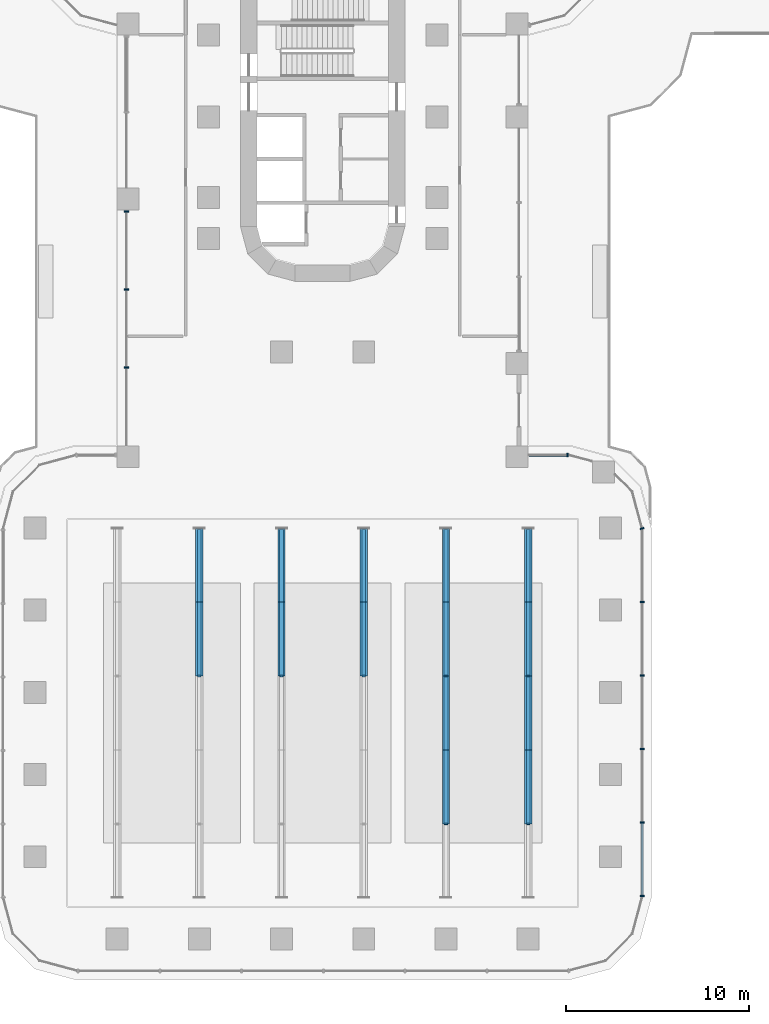
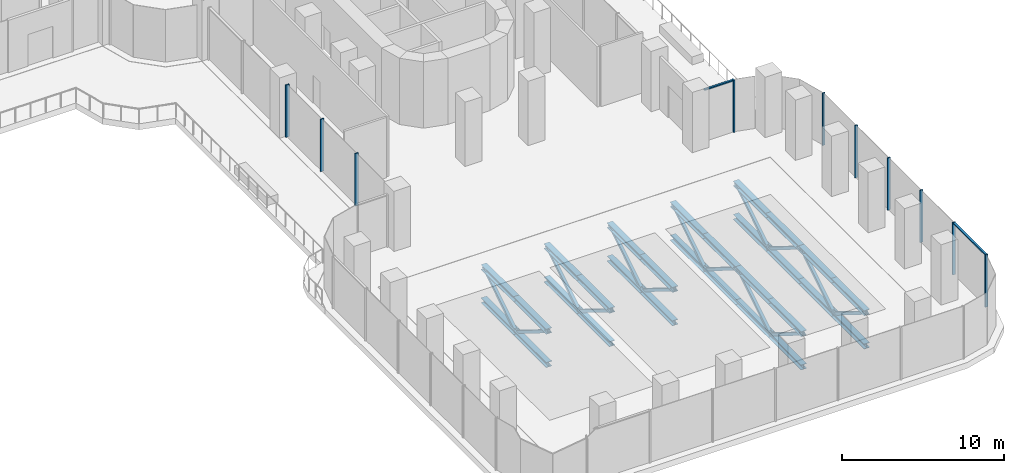
# One storey, part 3 of 21: 54 members, 4 elements without a shape of their own.
"""IFC4 building model written with IfcOpenShell, lengths in metres."""

from ifc_helpers import new_model, si_unit, direction, frame, origin, origin_2d, place, context, subcontext, project, spatial, polyline, hollow_rectangle, i_section, outline, extrude, source, transform, mapped, material, material_profile, profile_set, type_object, element, aggregate, save


model = new_model("IFC4")

# Units and contexts
model_context = context("Model", 3, precision=1e-05, world=origin(), true_north=direction((0.0, 1.0)))
body_context = subcontext(model_context, "Body", "Model", "MODEL_VIEW")
ifc_project = project(units=[si_unit("LENGTHUNIT", "METRE"), si_unit("AREAUNIT", "SQUARE_METRE"), si_unit("VOLUMEUNIT", "CUBIC_METRE"), si_unit("PLANEANGLEUNIT", "RADIAN"), si_unit("MASSUNIT", "GRAM", prefix="KILO")], contexts=[model_context])

# Site, building, storey
site_placement = place(None, origin())
site = spatial("IfcSite", under=ifc_project, at=site_placement, CompositionType="ELEMENT")
building_placement = place(site_placement, origin())
building = spatial("IfcBuilding", under=site, at=building_placement, Name="Zarbagh Exchange Tower", CompositionType="ELEMENT")
storey_placement = place(building_placement, frame((0.0, 0.0, 22.0)))
storey = spatial("IfcBuildingStorey", under=building, at=storey_placement, Name="L04", CompositionType="ELEMENT", Elevation=22.0)

# Members
ifc_material_1 = material(Name="Steel ASTM A992 Gr 50", Category="steel")
ifc_material_profile_1 = material_profile(ifc_material_1, i_section(OverallWidth=0.398681640625, OverallDepth=0.385986328125, WebThickness=0.02099609375, FlangeThickness=0.033203125, at=origin_2d()), Name="W14X176")
ifc_profile_set_1 = profile_set([ifc_material_profile_1], Name="Steel ASTM A992 Gr 50")
member_type_1 = type_object("IfcMemberType", Name="Hall roof truss chord W14X176", PredefinedType="CHORD", material=ifc_profile_set_1)
for number, where, z_axis, x_axis, name in (
    (1, (-6.75, -50.85009765625, -3.156982421875), (0.0, 1.0, 0.0), (-1.0, 0.0, 0.0), "Hall roof truss chord"),
    (2, (-6.75, -50.85009765625, -0.64306640625), (0.0, 1.0, 0.0), (-1.0, 0.0, 0.0), "Hall roof truss chord"),
):
    element("IfcMember", number, at=place(storey_placement, frame(where, z_axis=z_axis, x_axis=x_axis)), inside=storey, type_object=member_type_1, Name=name, PredefinedType="CHORD", context=body_context, shape_type="SweptSolid", body=[
        extrude(i_section(OverallWidth=0.398681640625, OverallDepth=0.385986328125, WebThickness=0.02099609375, FlangeThickness=0.033203125, at=origin_2d()), origin(), (0.0, 0.0, 1.0), 4.050048828125),
    ])
for number, where, z_axis, x_axis, name in (
    (3, (-6.75, -46.800048828125, -3.156982421875), (0.0, 1.0, 0.0), (-1.0, 0.0, 0.0), "Hall roof truss chord"),
    (4, (-6.75, -46.800048828125, -0.64306640625), (0.0, 1.0, 0.0), (-1.0, 0.0, 0.0), "Hall roof truss chord"),
):
    element("IfcMember", number, at=place(storey_placement, frame(where, z_axis=z_axis, x_axis=x_axis)), inside=storey, type_object=member_type_1, Name=name, PredefinedType="CHORD", context=body_context, shape_type="SweptSolid", body=[
        extrude(i_section(OverallWidth=0.398681640625, OverallDepth=0.385986328125, WebThickness=0.02099609375, FlangeThickness=0.033203125, at=origin_2d()), origin(), (0.0, 0.0, 1.0), 4.02001953125),
    ])
for number, where, z_axis, x_axis, name in (
    (5, (-2.25, -50.85009765625, -3.156982421875), (0.0, 1.0, 0.0), (-1.0, 0.0, 0.0), "Hall roof truss chord"),
    (6, (-2.25, -50.85009765625, -0.64306640625), (0.0, 1.0, 0.0), (-1.0, 0.0, 0.0), "Hall roof truss chord"),
):
    element("IfcMember", number, at=place(storey_placement, frame(where, z_axis=z_axis, x_axis=x_axis)), inside=storey, type_object=member_type_1, Name=name, PredefinedType="CHORD", context=body_context, shape_type="SweptSolid", body=[
        extrude(i_section(OverallWidth=0.398681640625, OverallDepth=0.385986328125, WebThickness=0.02099609375, FlangeThickness=0.033203125, at=origin_2d()), origin(), (0.0, 0.0, 1.0), 4.050048828125),
    ])
for number, where, z_axis, x_axis, name in (
    (7, (-2.25, -46.800048828125, -3.156982421875), (0.0, 1.0, 0.0), (-1.0, 0.0, 0.0), "Hall roof truss chord"),
    (8, (-2.25, -46.800048828125, -0.64306640625), (0.0, 1.0, 0.0), (-1.0, 0.0, 0.0), "Hall roof truss chord"),
):
    element("IfcMember", number, at=place(storey_placement, frame(where, z_axis=z_axis, x_axis=x_axis)), inside=storey, type_object=member_type_1, Name=name, PredefinedType="CHORD", context=body_context, shape_type="SweptSolid", body=[
        extrude(i_section(OverallWidth=0.398681640625, OverallDepth=0.385986328125, WebThickness=0.02099609375, FlangeThickness=0.033203125, at=origin_2d()), origin(), (0.0, 0.0, 1.0), 4.02001953125),
    ])
for number, where, z_axis, x_axis, name in (
    (9, (2.25, -50.85009765625, -3.156982421875), (0.0, 1.0, 0.0), (-1.0, 0.0, 0.0), "Hall roof truss chord"),
    (10, (2.25, -50.85009765625, -0.64306640625), (0.0, 1.0, 0.0), (-1.0, 0.0, 0.0), "Hall roof truss chord"),
):
    element("IfcMember", number, at=place(storey_placement, frame(where, z_axis=z_axis, x_axis=x_axis)), inside=storey, type_object=member_type_1, Name=name, PredefinedType="CHORD", context=body_context, shape_type="SweptSolid", body=[
        extrude(i_section(OverallWidth=0.398681640625, OverallDepth=0.385986328125, WebThickness=0.02099609375, FlangeThickness=0.033203125, at=origin_2d()), origin(), (0.0, 0.0, 1.0), 4.050048828125),
    ])
for number, where, z_axis, x_axis, name in (
    (11, (2.25, -46.800048828125, -3.156982421875), (0.0, 1.0, 0.0), (-1.0, 0.0, 0.0), "Hall roof truss chord"),
    (12, (2.25, -46.800048828125, -0.64306640625), (0.0, 1.0, 0.0), (-1.0, 0.0, 0.0), "Hall roof truss chord"),
):
    element("IfcMember", number, at=place(storey_placement, frame(where, z_axis=z_axis, x_axis=x_axis)), inside=storey, type_object=member_type_1, Name=name, PredefinedType="CHORD", context=body_context, shape_type="SweptSolid", body=[
        extrude(i_section(OverallWidth=0.398681640625, OverallDepth=0.385986328125, WebThickness=0.02099609375, FlangeThickness=0.033203125, at=origin_2d()), origin(), (0.0, 0.0, 1.0), 4.02001953125),
    ])
for number, where, z_axis, x_axis, name in (
    (13, (6.75, -58.949951171875, -3.156982421875), (0.0, 1.0, 0.0), (-1.0, 0.0, 0.0), "Hall roof truss chord"),
    (14, (6.75, -58.949951171875, -0.64306640625), (0.0, 1.0, 0.0), (-1.0, 0.0, 0.0), "Hall roof truss chord"),
):
    element("IfcMember", number, at=place(storey_placement, frame(where, z_axis=z_axis, x_axis=x_axis)), inside=storey, type_object=member_type_1, Name=name, PredefinedType="CHORD", context=body_context, shape_type="SweptSolid", body=[
        extrude(i_section(OverallWidth=0.398681640625, OverallDepth=0.385986328125, WebThickness=0.02099609375, FlangeThickness=0.033203125, at=origin_2d()), origin(), (0.0, 0.0, 1.0), 4.050048828125),
    ])
for number, where, z_axis, x_axis, name in (
    (15, (6.75, -54.89990234375, -3.156982421875), (0.0, 1.0, 0.0), (-1.0, 0.0, 0.0), "Hall roof truss chord"),
    (16, (6.75, -54.89990234375, -0.64306640625), (0.0, 1.0, 0.0), (-1.0, 0.0, 0.0), "Hall roof truss chord"),
):
    element("IfcMember", number, at=place(storey_placement, frame(where, z_axis=z_axis, x_axis=x_axis)), inside=storey, type_object=member_type_1, Name=name, PredefinedType="CHORD", context=body_context, shape_type="SweptSolid", body=[
        extrude(i_section(OverallWidth=0.398681640625, OverallDepth=0.385986328125, WebThickness=0.02099609375, FlangeThickness=0.033203125, at=origin_2d()), origin(), (0.0, 0.0, 1.0), 4.0498046875),
    ])
for number, where, z_axis, x_axis, name in (
    (17, (6.75, -50.85009765625, -3.156982421875), (0.0, 1.0, 0.0), (-1.0, 0.0, 0.0), "Hall roof truss chord"),
    (18, (6.75, -50.85009765625, -0.64306640625), (0.0, 1.0, 0.0), (-1.0, 0.0, 0.0), "Hall roof truss chord"),
):
    element("IfcMember", number, at=place(storey_placement, frame(where, z_axis=z_axis, x_axis=x_axis)), inside=storey, type_object=member_type_1, Name=name, PredefinedType="CHORD", context=body_context, shape_type="SweptSolid", body=[
        extrude(i_section(OverallWidth=0.398681640625, OverallDepth=0.385986328125, WebThickness=0.02099609375, FlangeThickness=0.033203125, at=origin_2d()), origin(), (0.0, 0.0, 1.0), 4.050048828125),
    ])
for number, where, z_axis, x_axis, name in (
    (19, (6.75, -46.800048828125, -3.156982421875), (0.0, 1.0, 0.0), (-1.0, 0.0, 0.0), "Hall roof truss chord"),
    (20, (6.75, -46.800048828125, -0.64306640625), (0.0, 1.0, 0.0), (-1.0, 0.0, 0.0), "Hall roof truss chord"),
):
    element("IfcMember", number, at=place(storey_placement, frame(where, z_axis=z_axis, x_axis=x_axis)), inside=storey, type_object=member_type_1, Name=name, PredefinedType="CHORD", context=body_context, shape_type="SweptSolid", body=[
        extrude(i_section(OverallWidth=0.398681640625, OverallDepth=0.385986328125, WebThickness=0.02099609375, FlangeThickness=0.033203125, at=origin_2d()), origin(), (0.0, 0.0, 1.0), 4.02001953125),
    ])
for number, where, z_axis, x_axis, name in (
    (21, (11.25, -58.949951171875, -3.156982421875), (0.0, 1.0, 0.0), (-1.0, 0.0, 0.0), "Hall roof truss chord"),
    (22, (11.25, -58.949951171875, -0.64306640625), (0.0, 1.0, 0.0), (-1.0, 0.0, 0.0), "Hall roof truss chord"),
):
    element("IfcMember", number, at=place(storey_placement, frame(where, z_axis=z_axis, x_axis=x_axis)), inside=storey, type_object=member_type_1, Name=name, PredefinedType="CHORD", context=body_context, shape_type="SweptSolid", body=[
        extrude(i_section(OverallWidth=0.398681640625, OverallDepth=0.385986328125, WebThickness=0.02099609375, FlangeThickness=0.033203125, at=origin_2d()), origin(), (0.0, 0.0, 1.0), 4.050048828125),
    ])
for number, where, z_axis, x_axis, name in (
    (23, (11.25, -54.89990234375, -3.156982421875), (0.0, 1.0, 0.0), (-1.0, 0.0, 0.0), "Hall roof truss chord"),
    (24, (11.25, -54.89990234375, -0.64306640625), (0.0, 1.0, 0.0), (-1.0, 0.0, 0.0), "Hall roof truss chord"),
):
    element("IfcMember", number, at=place(storey_placement, frame(where, z_axis=z_axis, x_axis=x_axis)), inside=storey, type_object=member_type_1, Name=name, PredefinedType="CHORD", context=body_context, shape_type="SweptSolid", body=[
        extrude(i_section(OverallWidth=0.398681640625, OverallDepth=0.385986328125, WebThickness=0.02099609375, FlangeThickness=0.033203125, at=origin_2d()), origin(), (0.0, 0.0, 1.0), 4.0498046875),
    ])
for number, where, z_axis, x_axis, name in (
    (25, (11.25, -50.85009765625, -3.156982421875), (0.0, 1.0, 0.0), (-1.0, 0.0, 0.0), "Hall roof truss chord"),
    (26, (11.25, -50.85009765625, -0.64306640625), (0.0, 1.0, 0.0), (-1.0, 0.0, 0.0), "Hall roof truss chord"),
):
    element("IfcMember", number, at=place(storey_placement, frame(where, z_axis=z_axis, x_axis=x_axis)), inside=storey, type_object=member_type_1, Name=name, PredefinedType="CHORD", context=body_context, shape_type="SweptSolid", body=[
        extrude(i_section(OverallWidth=0.398681640625, OverallDepth=0.385986328125, WebThickness=0.02099609375, FlangeThickness=0.033203125, at=origin_2d()), origin(), (0.0, 0.0, 1.0), 4.050048828125),
    ])
for number, where, z_axis, x_axis, name in (
    (27, (11.25, -46.800048828125, -3.156982421875), (0.0, 1.0, 0.0), (-1.0, 0.0, 0.0), "Hall roof truss chord"),
    (28, (11.25, -46.800048828125, -0.64306640625), (0.0, 1.0, 0.0), (-1.0, 0.0, 0.0), "Hall roof truss chord"),
):
    element("IfcMember", number, at=place(storey_placement, frame(where, z_axis=z_axis, x_axis=x_axis)), inside=storey, type_object=member_type_1, Name=name, PredefinedType="CHORD", context=body_context, shape_type="SweptSolid", body=[
        extrude(i_section(OverallWidth=0.398681640625, OverallDepth=0.385986328125, WebThickness=0.02099609375, FlangeThickness=0.033203125, at=origin_2d()), origin(), (0.0, 0.0, 1.0), 4.02001953125),
    ])
ifc_material_2 = material(Name="Steel ASTM A500 Gr C", Category="steel")
ifc_material_profile_2 = material_profile(ifc_material_2, hollow_rectangle(XDim=0.203125, YDim=0.203125, WallThickness=0.0087890625, at=origin_2d()), Name="HSS8X8X3/8")
ifc_profile_set_2 = profile_set([ifc_material_profile_2], Name="Steel ASTM A500 Gr C")
member_type_2 = type_object("IfcMemberType", Name="Hall roof truss diagonal HSS8X8X3/8", PredefinedType="BRACE", material=ifc_profile_set_2)
member_1_placement = place(storey_placement, frame((-6.75, -46.800048828125, -3.156982421875), z_axis=(0.0, -0.849631461466, 0.527376885811), x_axis=(1.0, 0.0, 0.0)))
element("IfcMember", 29, at=member_1_placement, inside=storey, type_object=member_type_2, Name="Hall roof truss diagonal", PredefinedType="BRACE", context=body_context, shape_type="SweptSolid", body=[
    extrude(hollow_rectangle(XDim=0.203125, YDim=0.203125, WallThickness=0.0087890625, at=origin_2d()), origin(), (0.0, 0.0, 1.0), 4.766845703125),
])
member_2_placement = place(storey_placement, frame((-6.75, -46.800048828125, -3.156982421875), z_axis=(0.0, 0.847865208387, 0.530211833521), x_axis=(-1.0, 0.0, 0.0)))
element("IfcMember", 30, at=member_2_placement, inside=storey, type_object=member_type_2, Name="Hall roof truss diagonal", PredefinedType="BRACE", context=body_context, shape_type="SweptSolid", body=[
    extrude(hollow_rectangle(XDim=0.203125, YDim=0.203125, WallThickness=0.0087890625, at=origin_2d()), origin(), (0.0, 0.0, 1.0), 4.741455078125),
])
member_3_placement = place(storey_placement, frame((-2.25, -46.800048828125, -3.156982421875), z_axis=(0.0, -0.849631461466, 0.527376885811), x_axis=(1.0, 0.0, 0.0)))
element("IfcMember", 31, at=member_3_placement, inside=storey, type_object=member_type_2, Name="Hall roof truss diagonal", PredefinedType="BRACE", context=body_context, shape_type="SweptSolid", body=[
    extrude(hollow_rectangle(XDim=0.203125, YDim=0.203125, WallThickness=0.0087890625, at=origin_2d()), origin(), (0.0, 0.0, 1.0), 4.766845703125),
])
member_4_placement = place(storey_placement, frame((-2.25, -46.800048828125, -3.156982421875), z_axis=(0.0, 0.847865208387, 0.530211833521), x_axis=(-1.0, 0.0, 0.0)))
element("IfcMember", 32, at=member_4_placement, inside=storey, type_object=member_type_2, Name="Hall roof truss diagonal", PredefinedType="BRACE", context=body_context, shape_type="SweptSolid", body=[
    extrude(hollow_rectangle(XDim=0.203125, YDim=0.203125, WallThickness=0.0087890625, at=origin_2d()), origin(), (0.0, 0.0, 1.0), 4.741455078125),
])
member_5_placement = place(storey_placement, frame((2.25, -46.800048828125, -3.156982421875), z_axis=(0.0, -0.849631461466, 0.527376885811), x_axis=(1.0, 0.0, 0.0)))
element("IfcMember", 33, at=member_5_placement, inside=storey, type_object=member_type_2, Name="Hall roof truss diagonal", PredefinedType="BRACE", context=body_context, shape_type="SweptSolid", body=[
    extrude(hollow_rectangle(XDim=0.203125, YDim=0.203125, WallThickness=0.0087890625, at=origin_2d()), origin(), (0.0, 0.0, 1.0), 4.766845703125),
])
member_6_placement = place(storey_placement, frame((2.25, -46.800048828125, -3.156982421875), z_axis=(0.0, 0.847865208387, 0.530211833521), x_axis=(-1.0, 0.0, 0.0)))
element("IfcMember", 34, at=member_6_placement, inside=storey, type_object=member_type_2, Name="Hall roof truss diagonal", PredefinedType="BRACE", context=body_context, shape_type="SweptSolid", body=[
    extrude(hollow_rectangle(XDim=0.203125, YDim=0.203125, WallThickness=0.0087890625, at=origin_2d()), origin(), (0.0, 0.0, 1.0), 4.741455078125),
])
member_7_placement = place(storey_placement, frame((6.75, -54.89990234375, -3.156982421875), z_axis=(0.0, -0.849631461466, 0.527376885811), x_axis=(1.0, 0.0, 0.0)))
element("IfcMember", 35, at=member_7_placement, inside=storey, type_object=member_type_2, Name="Hall roof truss diagonal", PredefinedType="BRACE", context=body_context, shape_type="SweptSolid", body=[
    extrude(hollow_rectangle(XDim=0.203125, YDim=0.203125, WallThickness=0.0087890625, at=origin_2d()), origin(), (0.0, 0.0, 1.0), 4.766845703125),
])
member_8_placement = place(storey_placement, frame((6.75, -54.89990234375, -3.156982421875), z_axis=(0.0, 0.84961721586, 0.527399835527), x_axis=(-1.0, 0.0, 0.0)))
element("IfcMember", 36, at=member_8_placement, inside=storey, type_object=member_type_2, Name="Hall roof truss diagonal", PredefinedType="BRACE", context=body_context, shape_type="SweptSolid", body=[
    extrude(hollow_rectangle(XDim=0.203125, YDim=0.203125, WallThickness=0.0087890625, at=origin_2d()), origin(), (0.0, 0.0, 1.0), 4.7666015625),
])
member_9_placement = place(storey_placement, frame((6.75, -46.800048828125, -3.156982421875), z_axis=(0.0, -0.849631461466, 0.527376885811), x_axis=(1.0, 0.0, 0.0)))
element("IfcMember", 37, at=member_9_placement, inside=storey, type_object=member_type_2, Name="Hall roof truss diagonal", PredefinedType="BRACE", context=body_context, shape_type="SweptSolid", body=[
    extrude(hollow_rectangle(XDim=0.203125, YDim=0.203125, WallThickness=0.0087890625, at=origin_2d()), origin(), (0.0, 0.0, 1.0), 4.766845703125),
])
member_10_placement = place(storey_placement, frame((6.75, -46.800048828125, -3.156982421875), z_axis=(0.0, 0.847865208387, 0.530211833521), x_axis=(-1.0, 0.0, 0.0)))
element("IfcMember", 38, at=member_10_placement, inside=storey, type_object=member_type_2, Name="Hall roof truss diagonal", PredefinedType="BRACE", context=body_context, shape_type="SweptSolid", body=[
    extrude(hollow_rectangle(XDim=0.203125, YDim=0.203125, WallThickness=0.0087890625, at=origin_2d()), origin(), (0.0, 0.0, 1.0), 4.741455078125),
])
member_11_placement = place(storey_placement, frame((11.25, -54.89990234375, -3.156982421875), z_axis=(0.0, -0.849631461466, 0.527376885811), x_axis=(1.0, 0.0, 0.0)))
element("IfcMember", 39, at=member_11_placement, inside=storey, type_object=member_type_2, Name="Hall roof truss diagonal", PredefinedType="BRACE", context=body_context, shape_type="SweptSolid", body=[
    extrude(hollow_rectangle(XDim=0.203125, YDim=0.203125, WallThickness=0.0087890625, at=origin_2d()), origin(), (0.0, 0.0, 1.0), 4.766845703125),
])
member_12_placement = place(storey_placement, frame((11.25, -54.89990234375, -3.156982421875), z_axis=(0.0, 0.84961721586, 0.527399835527), x_axis=(-1.0, 0.0, 0.0)))
element("IfcMember", 40, at=member_12_placement, inside=storey, type_object=member_type_2, Name="Hall roof truss diagonal", PredefinedType="BRACE", context=body_context, shape_type="SweptSolid", body=[
    extrude(hollow_rectangle(XDim=0.203125, YDim=0.203125, WallThickness=0.0087890625, at=origin_2d()), origin(), (0.0, 0.0, 1.0), 4.7666015625),
])
member_13_placement = place(storey_placement, frame((11.25, -46.800048828125, -3.156982421875), z_axis=(0.0, -0.849631461466, 0.527376885811), x_axis=(1.0, 0.0, 0.0)))
element("IfcMember", 41, at=member_13_placement, inside=storey, type_object=member_type_2, Name="Hall roof truss diagonal", PredefinedType="BRACE", context=body_context, shape_type="SweptSolid", body=[
    extrude(hollow_rectangle(XDim=0.203125, YDim=0.203125, WallThickness=0.0087890625, at=origin_2d()), origin(), (0.0, 0.0, 1.0), 4.766845703125),
])
member_14_placement = place(storey_placement, frame((11.25, -46.800048828125, -3.156982421875), z_axis=(0.0, 0.847865208387, 0.530211833521), x_axis=(-1.0, 0.0, 0.0)))
element("IfcMember", 42, at=member_14_placement, inside=storey, type_object=member_type_2, Name="Hall roof truss diagonal", PredefinedType="BRACE", context=body_context, shape_type="SweptSolid", body=[
    extrude(hollow_rectangle(XDim=0.203125, YDim=0.203125, WallThickness=0.0087890625, at=origin_2d()), origin(), (0.0, 0.0, 1.0), 4.741455078125),
])

# Curtain wall, members
ifc_material_3 = material(Name="Anodised aluminium frame and glazing", Category="aluminium")
curtain_wall_type_1 = type_object("IfcCurtainWallType", Name="CWD Exchange hall wall glazing", PredefinedType="NOTDEFINED", material=ifc_material_3)
curtain_wall_1_placement = place(storey_placement, origin())
curtain_wall_1 = element("IfcCurtainWall", 43, at=curtain_wall_1_placement, inside=storey, type_object=curtain_wall_type_1, Name="CWD22 curtain wall", PredefinedType="NOTDEFINED")
ifc_material_4 = material(Name="Anodised aluminium frame", Category="aluminium")
member_type_3 = type_object("IfcMemberType", Name="MUD Mullion, anodised aluminium frame", PredefinedType="MULLION", material=ifc_material_4)
shared_shape_1 = source(origin(), body_context, "Body", "SweptSolid", [
    extrude(outline(polyline([(0.0, -0.10009765625), (0.080078125, -0.10009765625), (0.080078125, 0.10009765625), (0.0, 0.10009765625), (0.0, -0.10009765625)])), origin(), (0.0, 0.0, 1.0), 3.949951171875),
])
placement = place(storey_placement, origin())
member_15 = element("IfcMember", 44, at=placement, type_object=member_type_3, Name="CWD22 mullion 1.1", PredefinedType="MULLION", context=body_context, shape_type="MappedRepresentation", body=[
    mapped(shared_shape_1, transform((17.5, -62.93408203125, 0.0), x_axis=(0.0, 1.0, 0.0), y_axis=(-1.0, 0.0, 0.0), z_axis=(0.0, 0.0, 1.0))),
])
member_16 = element("IfcMember", 45, at=placement, type_object=member_type_3, Name="CWD22 mullion 1.2", PredefinedType="MULLION", context=body_context, shape_type="MappedRepresentation", body=[
    mapped(shared_shape_1, transform((17.5, -58.910400390625, 0.0), x_axis=(0.0, 1.0, 0.0), y_axis=(-1.0, 0.0, 0.0), z_axis=(0.0, 0.0, 1.0))),
])
member_17 = element("IfcMember", 46, at=placement, type_object=member_type_3, Name="CWD22 mullion 1.3", PredefinedType="MULLION", context=body_context, shape_type="MappedRepresentation", body=[
    mapped(shared_shape_1, transform((17.5, -54.886962890625, 0.0), x_axis=(0.0, 1.0, 0.0), y_axis=(-1.0, 0.0, 0.0), z_axis=(0.0, 0.0, 1.0))),
])
member_18 = element("IfcMember", 47, at=placement, type_object=member_type_3, Name="CWD22 mullion 1.4", PredefinedType="MULLION", context=body_context, shape_type="MappedRepresentation", body=[
    mapped(shared_shape_1, transform((17.5, -50.86328125, 0.0), x_axis=(0.0, 1.0, 0.0), y_axis=(-1.0, 0.0, 0.0), z_axis=(0.0, 0.0, 1.0))),
])
member_19 = element("IfcMember", 48, at=placement, type_object=member_type_3, Name="CWD22 mullion 1.5", PredefinedType="MULLION", context=body_context, shape_type="MappedRepresentation", body=[
    mapped(shared_shape_1, transform((17.5, -46.839599609375, 0.0), x_axis=(0.0, 1.0, 0.0), y_axis=(-1.0, 0.0, 0.0), z_axis=(0.0, 0.0, 1.0))),
])

# Curtain wall, member
curtain_wall_2_placement = place(storey_placement, origin())
curtain_wall_2 = element("IfcCurtainWall", 49, at=curtain_wall_2_placement, inside=storey, type_object=curtain_wall_type_1, Name="CWD23 curtain wall", PredefinedType="NOTDEFINED")
member_20 = element("IfcMember", 50, at=placement, type_object=member_type_3, Name="CWD23 mullion 1.1", PredefinedType="MULLION", context=body_context, shape_type="MappedRepresentation", body=[
    mapped(shared_shape_1, transform((17.5, -42.81591796875, 0.0), x_axis=(-0.258824779902, 0.965924289636, 0.0), y_axis=(-0.965924289636, -0.258824779902, 0.0), z_axis=(0.0, 0.0, 1.0))),
])
aggregate(curtain_wall_2, [member_20])

curtain_wall_3_placement = place(storey_placement, origin())
curtain_wall_3 = element("IfcCurtainWall", 51, at=curtain_wall_3_placement, inside=storey, type_object=curtain_wall_type_1, Name="CWD26 curtain wall", PredefinedType="NOTDEFINED")
member_21 = element("IfcMember", 52, at=placement, type_object=member_type_3, Name="CWD26 mullion 1.1", PredefinedType="MULLION", context=body_context, shape_type="MappedRepresentation", body=[
    mapped(shared_shape_1, transform((13.43408203125, -38.75, 0.0), x_axis=(-1.0, 0.0, 0.0), y_axis=(0.0, -1.0, 0.0), z_axis=(0.0, 0.0, 1.0))),
])

# Member
member_type_4 = type_object("IfcMemberType", Name="TRD Transom, anodised aluminium frame", PredefinedType="USERDEFINED", material=ifc_material_4)
shared_shape_2 = source(origin(), body_context, "Body", "SweptSolid", [
    extrude(outline(polyline([(-0.080078125, -0.074951171875), (0.0, -0.074951171875), (0.0, 0.074951171875), (-0.080078125, 0.074951171875), (-0.080078125, -0.074951171875)])), origin(), (0.0, 0.0, 1.0), 3.943603515625),
])
member_22 = element("IfcMember", 53, at=placement, type_object=member_type_4, Name="CWD22 transom 1.1", ObjectType="TRANSOM", PredefinedType="USERDEFINED", context=body_context, shape_type="MappedRepresentation", body=[
    mapped(shared_shape_2, transform((17.5, -62.854248046875, 3.949951171875), x_axis=(0.0, 0.0, 1.0), y_axis=(1.0, 0.0, 0.0), z_axis=(0.0, 1.0, 0.0))),
])

aggregate(curtain_wall_1, [member_15, member_22, member_16, member_17, member_18, member_19])

shared_shape_3 = source(origin(), body_context, "Body", "SweptSolid", [
    extrude(outline(polyline([(-0.080078125, -0.074951171875), (0.0, -0.074951171875), (0.0, 0.074951171875), (-0.080078125, 0.074951171875), (-0.080078125, -0.074951171875)])), origin(), (0.0, 0.0, 1.0), 2.064208984375),
])
member_23 = element("IfcMember", 54, at=placement, type_object=member_type_4, Name="CWD26 transom 1.1", ObjectType="TRANSOM", PredefinedType="USERDEFINED", context=body_context, shape_type="MappedRepresentation", body=[
    mapped(shared_shape_3, transform((13.354248046875, -38.75, 3.949951171875), x_axis=(0.0, 0.0, 1.0), y_axis=(0.0, 1.0, 0.0), z_axis=(-1.0, 0.0, 0.0))),
])

aggregate(curtain_wall_3, [member_21, member_23])

# Curtain wall, members
curtain_wall_type_2 = type_object("IfcCurtainWallType", Name="CWC Podium garden-wall glazing", PredefinedType="NOTDEFINED", material=ifc_material_3)
curtain_wall_4_placement = place(storey_placement, origin())
curtain_wall_4 = element("IfcCurtainWall", 55, at=curtain_wall_4_placement, inside=storey, type_object=curtain_wall_type_2, Name="CWC227 curtain wall", PredefinedType="NOTDEFINED")
member_type_5 = type_object("IfcMemberType", Name="MUC Mullion, anodised aluminium frame", PredefinedType="MULLION", material=ifc_material_4)
shared_shape_4 = source(origin(), body_context, "Body", "SweptSolid", [
    extrude(outline(polyline([(0.0, -0.125), (0.080078125, -0.125), (0.080078125, 0.125), (0.0, 0.125), (0.0, -0.125)])), origin(), (0.0, 0.0, 1.0), 3.949951171875),
])
member_24 = element("IfcMember", 56, at=placement, type_object=member_type_5, Name="CWC227 mullion 2.1", PredefinedType="MULLION", context=body_context, shape_type="MappedRepresentation", body=[
    mapped(shared_shape_4, transform((-10.75, -25.39013671875, 0.0), x_axis=(0.0, -1.0, 0.0), y_axis=(1.0, 0.0, 0.0), z_axis=(0.0, 0.0, 1.0))),
])
member_25 = element("IfcMember", 57, at=placement, type_object=member_type_5, Name="CWC227 mullion 2.2", PredefinedType="MULLION", context=body_context, shape_type="MappedRepresentation", body=[
    mapped(shared_shape_4, transform((-10.75, -29.663330078125, 0.0), x_axis=(0.0, -1.0, 0.0), y_axis=(1.0, 0.0, 0.0), z_axis=(0.0, 0.0, 1.0))),
])
member_26 = element("IfcMember", 58, at=placement, type_object=member_type_5, Name="CWC227 mullion 2.3", PredefinedType="MULLION", context=body_context, shape_type="MappedRepresentation", body=[
    mapped(shared_shape_4, transform((-10.75, -33.936767578125, 0.0), x_axis=(0.0, -1.0, 0.0), y_axis=(1.0, 0.0, 0.0), z_axis=(0.0, 0.0, 1.0))),
])
aggregate(curtain_wall_4, [member_24, member_25, member_26])

save(model, "model.ifc")
